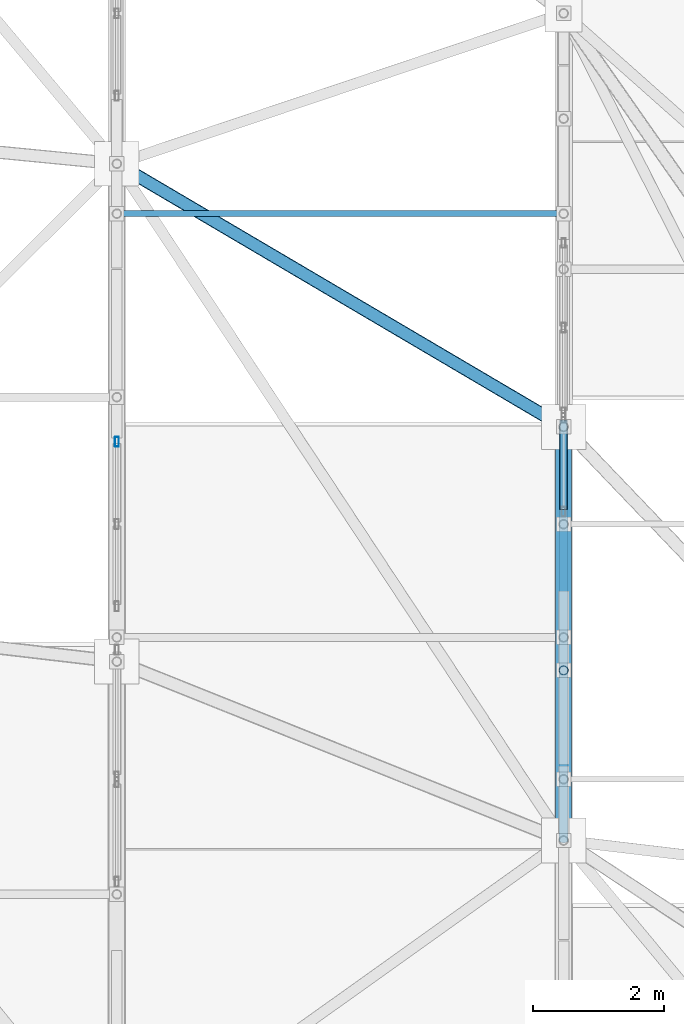
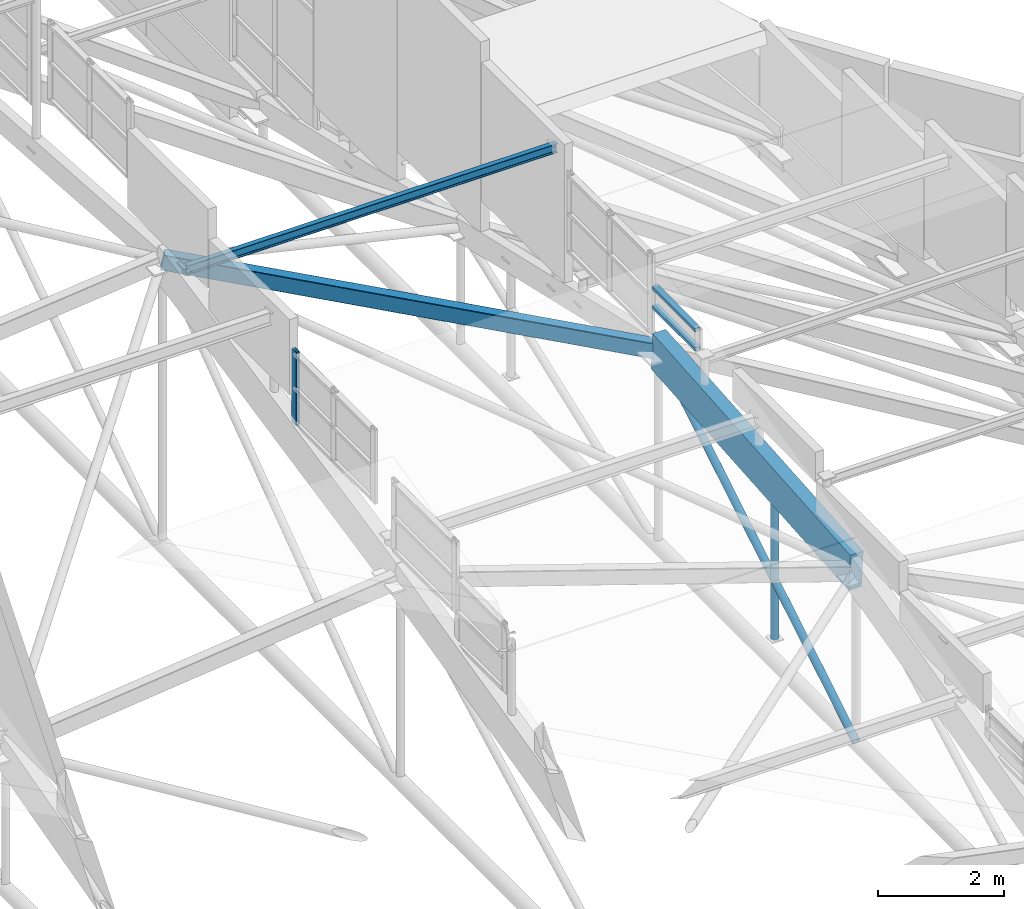
# One storey, part 19 of 188: 8 members, 2 elements without a shape of their own.
"""IFC4 building model written with IfcOpenShell, lengths in metres."""

from ifc_helpers import new_model, si_unit, direction, frame, origin, origin_2d, place, context, subcontext, project, spatial, rectangle, hollow_rectangle, hollow_circle, i_section, extrude, material, layer, layer_set, material_profile, profile_set, type_object, element, aggregate, save


model = new_model("IFC4")

# Units and contexts
model_context = context("Model", 3, precision=1e-05, world=origin(), true_north=direction((0.0, 1.0)))
body_context = subcontext(model_context, "Body", "Model", "MODEL_VIEW")
ifc_project = project(units=[si_unit("LENGTHUNIT", "METRE"), si_unit("AREAUNIT", "SQUARE_METRE"), si_unit("VOLUMEUNIT", "CUBIC_METRE"), si_unit("PLANEANGLEUNIT", "RADIAN"), si_unit("MASSUNIT", "GRAM", prefix="KILO")], contexts=[model_context])

# Site, building, storey
site_placement = place(None, origin())
site = spatial("IfcSite", under=ifc_project, at=site_placement, CompositionType="ELEMENT")
building_placement = place(site_placement, origin())
building = spatial("IfcBuilding", under=site, at=building_placement, Name="Kisaragi Civic Commons", CompositionType="ELEMENT")
storey_placement = place(building_placement, frame((0.0, 0.0, 9.60009765625)))
storey = spatial("IfcBuildingStorey", under=building, at=storey_placement, Name="L02", CompositionType="ELEMENT", Elevation=9.60009765625)

# Curtain wall, member
ifc_material_1 = material(Name="Thermally broken anodized aluminium and low-E double glazing", Category="aluminium")
ifc_layer = layer(ifc_material_1, 0.14990234375, Name="Thermally broken anodized aluminium and low-E double glazing", Category="aluminium")
ifc_layer_set = layer_set([ifc_layer], Name="Thermally broken anodized aluminium and low-E double glazing")
curtain_wall_type = type_object("IfcCurtainWallType", Name="CW-03", PredefinedType="NOTDEFINED", material=ifc_layer_set)
curtain_wall_1_placement = place(storey_placement, origin())
curtain_wall_1 = element("IfcCurtainWall", 1, at=curtain_wall_1_placement, inside=storey, type_object=curtain_wall_type, Name="L02 curtain wall CW-03 CW-CL-V1-157", PredefinedType="NOTDEFINED")
ifc_material_profile_1 = material_profile(ifc_material_1, hollow_rectangle(XDim=0.06005859375, YDim=0.14990234375, WallThickness=0.00390625, InnerFilletRadius=0.00390625, OuterFilletRadius=0.008056640625, at=origin_2d()), Name="CWM-60x150x4", Category="aluminium")
ifc_profile_set_1 = profile_set([ifc_material_profile_1], Name="Thermally broken anodized aluminium and low-E double glazing")
member_type_1 = type_object("IfcMemberType", Name="CWM-01", PredefinedType="MULLION", material=ifc_profile_set_1)
member_1_placement = place(storey_placement, frame((20.39990234375, 20.280517578125, 4.422607421875), z_axis=(0.0, 0.0, 1.0), x_axis=(-1.0, 0.0, 0.0)))
member_1 = element("IfcMember", 2, at=member_1_placement, type_object=member_type_1, Name="CW-03 mullion 3", PredefinedType="MULLION", context=body_context, shape_type="SweptSolid", body=[
    extrude(hollow_rectangle(XDim=0.06005859375, YDim=0.14990234375, WallThickness=0.00390625, InnerFilletRadius=0.00390625, OuterFilletRadius=0.008056640625, at=origin_2d()), origin(), (0.0, 0.0, 1.0), 1.43505859375),
])
aggregate(curtain_wall_1, [member_1])

# Curtain wall, members
curtain_wall_2_placement = place(storey_placement, origin())
curtain_wall_2 = element("IfcCurtainWall", 3, at=curtain_wall_2_placement, inside=storey, type_object=curtain_wall_type, Name="L02 curtain wall CW-03 CW-CL-V1-167", PredefinedType="NOTDEFINED")
ifc_material_profile_2 = material_profile(ifc_material_1, hollow_rectangle(XDim=0.1201171875, YDim=0.06005859375, WallThickness=0.00390625, InnerFilletRadius=0.00390625, OuterFilletRadius=0.008056640625, at=origin_2d()), Name="CWT-60x120x4", Category="aluminium")
ifc_profile_set_2 = profile_set([ifc_material_profile_2], Name="Thermally broken anodized aluminium and low-E double glazing")
member_type_2 = type_object("IfcMemberType", Name="CWT-01", PredefinedType="USERDEFINED", material=ifc_profile_set_2)
member_2_placement = place(storey_placement, frame((27.199951171875, 19.245849609375, 4.1220703125), z_axis=(0.0, 1.0, 0.0), x_axis=(-1.0, 0.0, 0.0)))
member_2 = element("IfcMember", 4, at=member_2_placement, type_object=member_type_2, Name="CW-03 transom 1.1", ObjectType="TRANSOM", PredefinedType="USERDEFINED", context=body_context, shape_type="SweptSolid", body=[
    extrude(hollow_rectangle(XDim=0.1201171875, YDim=0.06005859375, WallThickness=0.00390625, InnerFilletRadius=0.00390625, OuterFilletRadius=0.008056640625, at=origin_2d()), origin(), (0.0, 0.0, 1.0), 1.365234375),
])
member_3_placement = place(storey_placement, frame((27.199951171875, 19.245849609375, 4.494384765625), z_axis=(0.0, 1.0, 0.0), x_axis=(-1.0, 0.0, 0.0)))
member_3 = element("IfcMember", 5, at=member_3_placement, type_object=member_type_2, Name="CW-03 transom 1.2", ObjectType="TRANSOM", PredefinedType="USERDEFINED", context=body_context, shape_type="SweptSolid", body=[
    extrude(hollow_rectangle(XDim=0.1201171875, YDim=0.06005859375, WallThickness=0.00390625, InnerFilletRadius=0.00390625, OuterFilletRadius=0.008056640625, at=origin_2d()), origin(), (0.0, 0.0, 1.0), 1.365234375),
])
aggregate(curtain_wall_2, [member_2, member_3])

# Members
ifc_material_2 = material(Name="Steel SN490 (SN490B)", Category="steel")
ifc_material_profile_3 = material_profile(ifc_material_2, hollow_rectangle(XDim=0.199951171875, YDim=0.300048828125, WallThickness=0.009033203125, InnerFilletRadius=0.009033203125, OuterFilletRadius=0.01806640625, at=origin_2d()), Name="STKR-300x200x9", Category="steel")
ifc_profile_set_3 = profile_set([ifc_material_profile_3], Name="Steel SN490 (SN490B)")
member_type_3 = type_object("IfcMemberType", Name="GC-02", PredefinedType="CHORD", material=ifc_profile_set_3)
member_4_placement = place(storey_placement, frame((20.39990234375, 24.512451171875, 5.043701171875), z_axis=(0.84244491596, -0.496338673425, -0.209605545816), x_axis=(0.507614815074, 0.861584122136, 0.0)))
element("IfcMember", 6, at=member_4_placement, inside=storey, type_object=member_type_3, Name="V1 wave gridshell chord GC-02 24", PredefinedType="CHORD", context=body_context, shape_type="SweptSolid", body=[
    extrude(hollow_rectangle(XDim=0.199951171875, YDim=0.300048828125, WallThickness=0.009033203125, InnerFilletRadius=0.009033203125, OuterFilletRadius=0.01806640625, at=origin_2d()), origin(), (0.0, 0.0, 1.0), 8.07177734375),
])
ifc_material_3 = material(Name="Glulam E120-F330", Category="wood")
ifc_material_profile_4 = material_profile(ifc_material_3, rectangle(XDim=0.239990234375, YDim=0.719970703125, at=origin_2d()), Name="GL-240x720", Category="wood")
ifc_profile_set_4 = profile_set([ifc_material_profile_4], Name="Glulam E120-F330")
member_type_4 = type_object("IfcMemberType", Name="GR-02", PredefinedType="RAFTER", material=ifc_profile_set_4)
member_5_placement = place(storey_placement, frame((27.199951171875, 14.21142578125, 2.856201171875), z_axis=(0.0, 0.996914811263, 0.078491140165), x_axis=(-1.0, 0.0, 0.0)))
element("IfcMember", 7, at=member_5_placement, inside=storey, type_object=member_type_4, Name="V1 glulam arch rib GR-02 35", PredefinedType="RAFTER", context=body_context, shape_type="SweptSolid", body=[
    extrude(rectangle(XDim=0.239990234375, YDim=0.719970703125, at=origin_2d()), origin(), (0.0, 0.0, 1.0), 6.314208984375),
])
ifc_material_4 = material(Name="Steel SN400 (SN400B)", Category="steel")
ifc_material_profile_5 = material_profile(ifc_material_4, i_section(OverallWidth=0.090087890625, OverallDepth=0.175048828125, WebThickness=0.0048828125, FlangeThickness=0.008056640625, FilletRadius=0.008056640625, at=origin_2d()), Name="H-175x90x5x8", Category="steel")
ifc_profile_set_5 = profile_set([ifc_material_profile_5], Name="Steel SN400 (SN400B)")
member_type_5 = type_object("IfcMemberType", Name="PR-03", PredefinedType="PURLIN", material=ifc_profile_set_5)
member_6_placement = place(storey_placement, frame((20.39990234375, 23.75244140625, 5.318115234375), z_axis=(1.0, 0.0, 0.0), x_axis=(0.0, 1.0, 0.0)))
element("IfcMember", 8, at=member_6_placement, inside=storey, type_object=member_type_5, Name="V1 wave vault steel purlin 28", PredefinedType="PURLIN", context=body_context, shape_type="SweptSolid", body=[
    extrude(i_section(OverallWidth=0.090087890625, OverallDepth=0.175048828125, WebThickness=0.0048828125, FlangeThickness=0.008056640625, FilletRadius=0.008056640625, at=origin_2d()), origin(), (0.0, 0.0, 1.0), 6.800048828125),
])
ifc_material_profile_6 = material_profile(ifc_material_2, hollow_circle(Radius=0.06982421875, WallThickness=0.006103515625, at=origin_2d()), Name="CHS-139.8x6.0", Category="steel")
ifc_profile_set_6 = profile_set([ifc_material_profile_6], Name="Steel SN490 (SN490B)")
member_type_6 = type_object("IfcMemberType", Name="ST-H1", PredefinedType="STRUT", material=ifc_profile_set_6)
member_7_placement = place(storey_placement, frame((27.199951171875, 14.21142578125, -0.458984375), z_axis=(0.0, 0.855448633385, 0.517887667009), x_axis=(-1.0, 0.0, 0.0)))
element("IfcMember", 9, at=member_7_placement, inside=storey, type_object=member_type_6, Name="V1 tied arch truss diagonal web strut 64", PredefinedType="STRUT", context=body_context, shape_type="SweptSolid", body=[
    extrude(hollow_circle(Radius=0.06982421875, WallThickness=0.006103515625, at=origin_2d()), origin(), (0.0, 0.0, 1.0), 7.3583984375),
])
member_8_placement = place(storey_placement, frame((27.199951171875, 16.800048828125, -0.02001953125), z_axis=(0.0, 0.0, 1.0), x_axis=(1.0, 0.0, 0.0)))
element("IfcMember", 10, at=member_8_placement, inside=storey, type_object=member_type_6, Name="V1 interior column arch support post (27.2,16.8)", PredefinedType="STRUT", context=body_context, shape_type="SweptSolid", body=[
    extrude(hollow_circle(Radius=0.06982421875, WallThickness=0.006103515625, at=origin_2d()), origin(), (0.0, 0.0, 1.0), 3.080078125),
])

save(model, "model.ifc")
